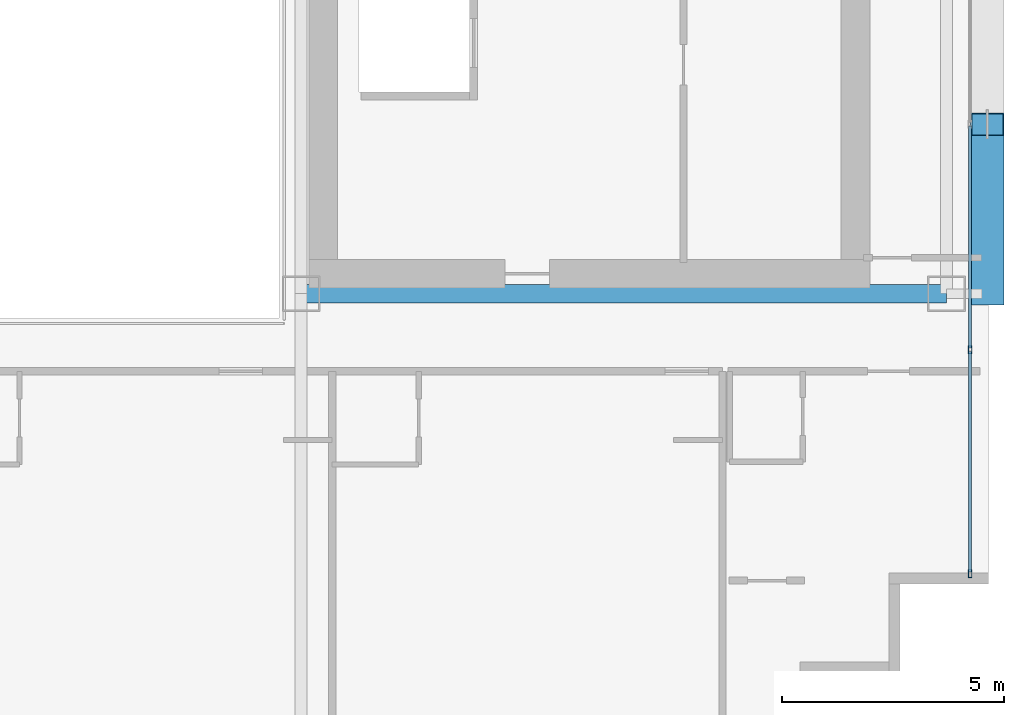
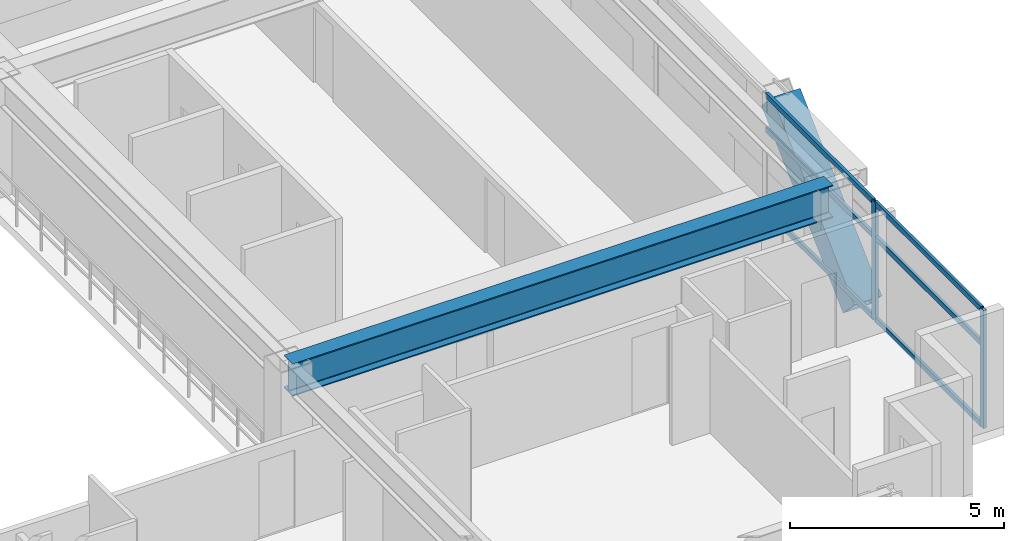
# One storey, part 11 of 34: 9 members, 1 beam, 1 element without a shape of its own.
"""IFC4 building model written with IfcOpenShell, lengths in metres."""

from ifc_helpers import new_model, si_unit, direction, frame, origin, origin_2d, place, context, subcontext, project, spatial, hollow_rectangle, i_section, extrude, source, transform, mapped, material, layer, layer_set, material_profile, profile_set, type_object, element, aggregate, save


model = new_model("IFC4")

# Units and contexts
model_context = context("Model", 3, precision=1e-05, world=origin(), true_north=direction((0.0, 1.0)))
body_context = subcontext(model_context, "Body", "Model", "MODEL_VIEW")
ifc_project = project(units=[si_unit("LENGTHUNIT", "METRE"), si_unit("AREAUNIT", "SQUARE_METRE"), si_unit("VOLUMEUNIT", "CUBIC_METRE"), si_unit("PLANEANGLEUNIT", "RADIAN"), si_unit("MASSUNIT", "GRAM", prefix="KILO")], contexts=[model_context])

# Site, building, storey
site_placement = place(None, origin())
site = spatial("IfcSite", under=ifc_project, at=site_placement, CompositionType="ELEMENT")
building_placement = place(site_placement, origin())
building = spatial("IfcBuilding", under=site, at=building_placement, Name="Ocotamira Hotel", CompositionType="ELEMENT")
storey_placement = place(building_placement, frame((0.0, 0.0, 111.60009765625)))
storey = spatial("IfcBuildingStorey", under=building, at=storey_placement, Name="L27", CompositionType="ELEMENT", Elevation=111.60009765625)

# Beam
ifc_material_1 = material(Name="Steel ASTM A992 Grade 50", Category="steel")
ifc_material_profile_1 = material_profile(ifc_material_1, i_section(OverallWidth=0.41796875, OverallDepth=0.927001953125, WebThickness=0.019287109375, FlangeThickness=0.031982421875, FilletRadius=0.02392578125, at=origin_2d()), Name="W36X231")
ifc_profile_set_1 = profile_set([ifc_material_profile_1], Name="Steel ASTM A992 Grade 50")
beam_type = type_object("IfcBeamType", Name="BM-GIRD-W36X231", PredefinedType="BEAM", material=ifc_profile_set_1)
shared_shape_1 = source(origin(), body_context, "Body", "SweptSolid", [
    extrude(i_section(OverallWidth=0.41796875, OverallDepth=0.927001953125, WebThickness=0.019287109375, FlangeThickness=0.031982421875, FilletRadius=0.02392578125, at=origin_2d()), origin(), (0.0, 0.0, 1.0), 14.550048828125),
])
beam_placement = place(storey_placement, frame((40.5, 14.550048828125, 2.896484375), z_axis=(1.0, 0.0, 0.0), x_axis=(0.0, 1.0, 0.0)))
element("IfcBeam", 1, at=beam_placement, inside=storey, type_object=beam_type, Name="L27 Girder Y14.55 X40.5-55.05", PredefinedType="BEAM", context=body_context, shape_type="MappedRepresentation", body=[
    mapped(shared_shape_1, transform((0.0, 0.0, 0.0), scale=1.0)),
])

# Member
ifc_material_2 = material(Name="Pale-metal coated steel ASTM A913 Grade 65", Category="steel")
ifc_material_profile_2 = material_profile(ifc_material_2, hollow_rectangle(XDim=0.75, YDim=0.75, WallThickness=0.028076171875, at=origin_2d()), Name="BOX750X750X28")
ifc_profile_set_2 = profile_set([ifc_material_profile_2], Name="Pale-metal coated steel ASTM A913 Grade 65")
member_type_1 = type_object("IfcMemberType", Name="MEM-EXO-BOX750", PredefinedType="BRACE", material=ifc_profile_set_2)
shared_shape_2 = source(origin(), body_context, "Body", "SweptSolid", [
    extrude(hollow_rectangle(XDim=0.75, YDim=0.75, WallThickness=0.028076171875, at=origin_2d()), origin(), (0.0, 0.0, 1.0), 5.24658203125),
])
member_1_placement = place(storey_placement, frame((55.969970703125, 14.550048828125, -0.489990234375), z_axis=(0.0, 0.72746596067, 0.686143772154), x_axis=(-1.0, 0.0, 0.0)))
element("IfcMember", 2, at=member_1_placement, inside=storey, type_object=member_type_1, Name="L27 Exoskeleton Diagrid E0.1", PredefinedType="BRACE", context=body_context, shape_type="MappedRepresentation", body=[
    mapped(shared_shape_2, transform((0.0, 0.0, 0.0), scale=1.0)),
])

# Curtain wall, members
ifc_material_3 = material(Name="Anodised pale-metal aluminium and solar glass", Category="aluminium")
ifc_layer = layer(ifc_material_3, 0.179931640625)
ifc_layer_set = layer_set([ifc_layer], Name="Anodised pale-metal aluminium and solar glass")
curtain_wall_type = type_object("IfcCurtainWallType", Name="CW-SYS3-Z2", PredefinedType="NOTDEFINED", material=ifc_layer_set)
curtain_wall_placement = place(storey_placement, origin())
curtain_wall = element("IfcCurtainWall", 3, at=curtain_wall_placement, inside=storey, type_object=curtain_wall_type, Name="L27 Curtain Wall CW-3 CW-L27-E", PredefinedType="NOTDEFINED")
ifc_material_4 = material(Name="Anodised pale-metal aluminium 6063-T6", Category="aluminium")
ifc_material_profile_3 = material_profile(ifc_material_4, hollow_rectangle(XDim=0.074951171875, YDim=0.14990234375, WallThickness=0.006103515625, at=origin_2d()), Name="HSS150X75X6")
ifc_profile_set_3 = profile_set([ifc_material_profile_3], Name="Anodised pale-metal aluminium 6063-T6")
member_type_2 = type_object("IfcMemberType", Name="CWT-150X75", PredefinedType="USERDEFINED", material=ifc_profile_set_3)
shared_shape_3 = source(origin(), body_context, "Body", "SweptSolid", [
    extrude(hollow_rectangle(XDim=0.074951171875, YDim=0.14990234375, WallThickness=0.006103515625, at=origin_2d()), origin(), (0.0, 0.0, 1.0), 4.965576171875),
])
member_2_placement = place(storey_placement, frame((55.580078125, 8.280029296875, 0.037353515625), z_axis=(0.0, 1.0, 0.0), x_axis=(-1.0, 0.0, 0.0)))
member_2 = element("IfcMember", 4, at=member_2_placement, type_object=member_type_2, Name="CW-3 transom 1.1", ObjectType="TRANSOM", PredefinedType="USERDEFINED", context=body_context, shape_type="MappedRepresentation", body=[
    mapped(shared_shape_3, transform((0.0, 0.0, 0.0), scale=1.0)),
])
member_3_placement = place(storey_placement, frame((55.580078125, 8.280029296875, 2.349853515625), z_axis=(0.0, 1.0, 0.0), x_axis=(-1.0, 0.0, 0.0)))
member_3 = element("IfcMember", 5, at=member_3_placement, type_object=member_type_2, Name="CW-3 transom 1.2", ObjectType="TRANSOM", PredefinedType="USERDEFINED", context=body_context, shape_type="MappedRepresentation", body=[
    mapped(shared_shape_3, transform((0.0, 0.0, 0.0), scale=1.0)),
])
member_4_placement = place(storey_placement, frame((55.580078125, 8.280029296875, 3.322509765625), z_axis=(0.0, 1.0, 0.0), x_axis=(-1.0, 0.0, 0.0)))
member_4 = element("IfcMember", 6, at=member_4_placement, type_object=member_type_2, Name="CW-3 transom 1.3", ObjectType="TRANSOM", PredefinedType="USERDEFINED", context=body_context, shape_type="MappedRepresentation", body=[
    mapped(shared_shape_3, transform((0.0, 0.0, 0.0), scale=1.0)),
])
shared_shape_4 = source(origin(), body_context, "Body", "SweptSolid", [
    extrude(hollow_rectangle(XDim=0.074951171875, YDim=0.14990234375, WallThickness=0.006103515625, at=origin_2d()), origin(), (0.0, 0.0, 1.0), 5.005859375),
])
member_5_placement = place(storey_placement, frame((55.580078125, 13.32568359375, 0.037353515625), z_axis=(0.0, 1.0, 0.0), x_axis=(-1.0, 0.0, 0.0)))
member_5 = element("IfcMember", 7, at=member_5_placement, type_object=member_type_2, Name="CW-3 transom 2.1", ObjectType="TRANSOM", PredefinedType="USERDEFINED", context=body_context, shape_type="MappedRepresentation", body=[
    mapped(shared_shape_4, transform((0.0, 0.0, 0.0), scale=1.0)),
])
member_6_placement = place(storey_placement, frame((55.580078125, 13.32568359375, 2.349853515625), z_axis=(0.0, 1.0, 0.0), x_axis=(-1.0, 0.0, 0.0)))
member_6 = element("IfcMember", 8, at=member_6_placement, type_object=member_type_2, Name="CW-3 transom 2.2", ObjectType="TRANSOM", PredefinedType="USERDEFINED", context=body_context, shape_type="MappedRepresentation", body=[
    mapped(shared_shape_4, transform((0.0, 0.0, 0.0), scale=1.0)),
])
member_7_placement = place(storey_placement, frame((55.580078125, 13.32568359375, 3.322509765625), z_axis=(0.0, 1.0, 0.0), x_axis=(-1.0, 0.0, 0.0)))
member_7 = element("IfcMember", 9, at=member_7_placement, type_object=member_type_2, Name="CW-3 transom 2.3", ObjectType="TRANSOM", PredefinedType="USERDEFINED", context=body_context, shape_type="MappedRepresentation", body=[
    mapped(shared_shape_4, transform((0.0, 0.0, 0.0), scale=1.0)),
])
ifc_material_profile_4 = material_profile(ifc_material_4, hollow_rectangle(XDim=0.080078125, YDim=0.179931640625, WallThickness=0.006103515625, at=origin_2d()), Name="HSS180X80X6")
ifc_profile_set_4 = profile_set([ifc_material_profile_4], Name="Anodised pale-metal aluminium 6063-T6")
member_type_3 = type_object("IfcMemberType", Name="CWM-180X75", PredefinedType="MULLION", material=ifc_profile_set_4)
shared_shape_5 = source(origin(), body_context, "Body", "SweptSolid", [
    extrude(hollow_rectangle(XDim=0.080078125, YDim=0.179931640625, WallThickness=0.006103515625, at=origin_2d()), origin(), (0.0, 0.0, 1.0), 3.35986328125),
])
member_8_placement = place(storey_placement, frame((55.580078125, 8.239990234375, 0.0), z_axis=(0.0, 0.0, 1.0), x_axis=(-1.0, 0.0, 0.0)))
member_8 = element("IfcMember", 10, at=member_8_placement, type_object=member_type_3, Name="CW-3 mullion 1", PredefinedType="MULLION", context=body_context, shape_type="MappedRepresentation", body=[
    mapped(shared_shape_5, transform((0.0, 0.0, 0.0), scale=1.0)),
])
member_9_placement = place(storey_placement, frame((55.580078125, 13.28564453125, 0.0), z_axis=(0.0, 0.0, 1.0), x_axis=(-1.0, 0.0, 0.0)))
member_9 = element("IfcMember", 11, at=member_9_placement, type_object=member_type_3, Name="CW-3 mullion 2", PredefinedType="MULLION", context=body_context, shape_type="MappedRepresentation", body=[
    mapped(shared_shape_5, transform((0.0, 0.0, 0.0), scale=1.0)),
])
aggregate(curtain_wall, [member_8, member_9, member_2, member_3, member_4, member_5, member_6, member_7])

save(model, "model.ifc")
